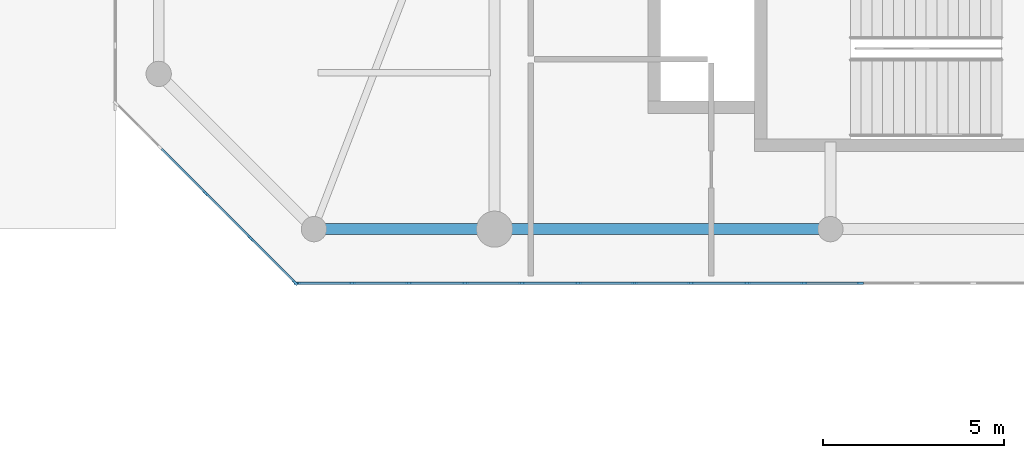
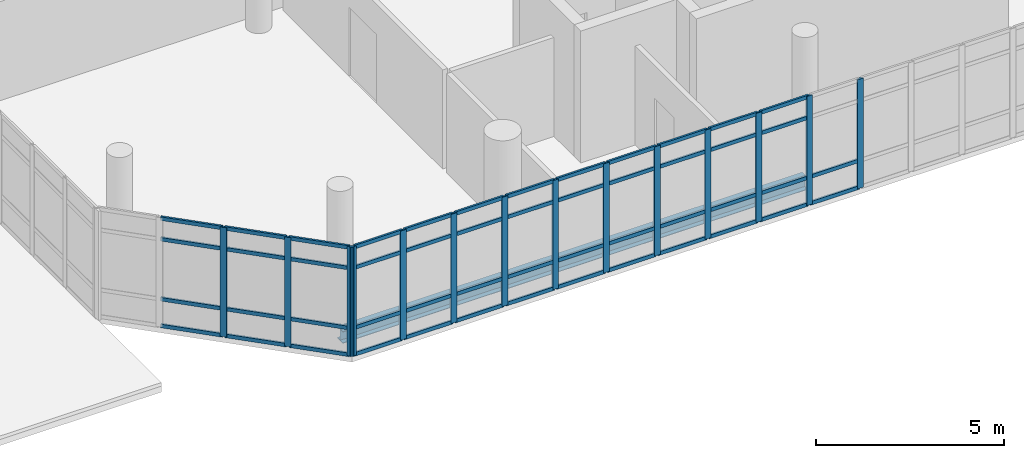
# One storey, part 25 of 134: 64 members, 2 beams, 2 elements without a shape of their own.
"""IFC4 building model written with IfcOpenShell, lengths in metres."""

from ifc_helpers import new_model, si_unit, direction, frame, origin, origin_2d, place, context, subcontext, project, spatial, rectangle, i_section, extrude, material, layer, layer_set, material_profile, profile_set, type_object, element, aggregate, save


model = new_model("IFC4")

# Units and contexts
model_context = context("Model", 3, precision=1e-05, world=origin(), true_north=direction((0.0, 1.0)))
body_context = subcontext(model_context, "Body", "Model", "MODEL_VIEW")
ifc_project = project(units=[si_unit("LENGTHUNIT", "METRE"), si_unit("AREAUNIT", "SQUARE_METRE"), si_unit("VOLUMEUNIT", "CUBIC_METRE"), si_unit("PLANEANGLEUNIT", "RADIAN"), si_unit("MASSUNIT", "GRAM", prefix="KILO")], contexts=[model_context])

# Site, building, storey
site_placement = place(None, origin())
site = spatial("IfcSite", under=ifc_project, at=site_placement, CompositionType="ELEMENT")
building_placement = place(site_placement, origin())
building = spatial("IfcBuilding", under=site, at=building_placement, Name="Sohan Crest Arena", CompositionType="ELEMENT")
storey_placement = place(building_placement, frame((0.0, 0.0, 4.5)))
storey = spatial("IfcBuildingStorey", under=building, at=storey_placement, Name="L01", CompositionType="ELEMENT", Elevation=4.5)

# Curtain wall, members
ifc_material_1 = material(Name="Thermally broken anodised aluminium", Category="aluminium")
ifc_layer = layer(ifc_material_1, 0.199951171875, Name="Thermally broken anodised aluminium")
ifc_layer_set = layer_set([ifc_layer], Name="Thermally broken anodised aluminium")
curtain_wall_type = type_object("IfcCurtainWallType", Name="ARC-CW02", PredefinedType="NOTDEFINED", material=ifc_layer_set)
curtain_wall_1_placement = place(storey_placement, origin())
curtain_wall_1 = element("IfcCurtainWall", 1, at=curtain_wall_1_placement, inside=storey, type_object=curtain_wall_type, Name="Unitised curtain wall CW-206", PredefinedType="NOTDEFINED")
ifc_material_profile_1 = material_profile(ifc_material_1, rectangle(XDim=0.06494140625, YDim=0.179931640625, at=origin_2d()), Name="ALU-MULL 65x180")
ifc_profile_set_1 = profile_set([ifc_material_profile_1], Name="Thermally broken anodised aluminium")
member_type_1 = type_object("IfcMemberType", Name="ARC-CW-ML02", PredefinedType="MULLION", material=ifc_profile_set_1)
member_1_placement = place(storey_placement, frame((19.032470703125, 50.0, 0.0), z_axis=(0.0, 0.0, 1.0), x_axis=(0.0, 1.0, 0.0)))
member_1 = element("IfcMember", 2, at=member_1_placement, type_object=member_type_1, Name="CW-206 mullion 1", PredefinedType="MULLION", context=body_context, shape_type="SweptSolid", body=[
    extrude(rectangle(XDim=0.06494140625, YDim=0.179931640625, at=origin_2d()), origin(), (0.0, 0.0, 1.0), 3.550048828125),
])
member_2_placement = place(storey_placement, frame((20.5625, 50.0, 0.0), z_axis=(0.0, 0.0, 1.0), x_axis=(0.0, 1.0, 0.0)))
member_2 = element("IfcMember", 3, at=member_2_placement, type_object=member_type_1, Name="CW-206 mullion 2", PredefinedType="MULLION", context=body_context, shape_type="SweptSolid", body=[
    extrude(rectangle(XDim=0.06494140625, YDim=0.179931640625, at=origin_2d()), origin(), (0.0, 0.0, 1.0), 3.550048828125),
])
member_3_placement = place(storey_placement, frame((22.125, 50.0, 0.0), z_axis=(0.0, 0.0, 1.0), x_axis=(0.0, 1.0, 0.0)))
member_3 = element("IfcMember", 4, at=member_3_placement, type_object=member_type_1, Name="CW-206 mullion 3", PredefinedType="MULLION", context=body_context, shape_type="SweptSolid", body=[
    extrude(rectangle(XDim=0.06494140625, YDim=0.179931640625, at=origin_2d()), origin(), (0.0, 0.0, 1.0), 3.550048828125),
])
member_4_placement = place(storey_placement, frame((23.6875, 50.0, 0.0), z_axis=(0.0, 0.0, 1.0), x_axis=(0.0, 1.0, 0.0)))
member_4 = element("IfcMember", 5, at=member_4_placement, type_object=member_type_1, Name="CW-206 mullion 4", PredefinedType="MULLION", context=body_context, shape_type="SweptSolid", body=[
    extrude(rectangle(XDim=0.06494140625, YDim=0.179931640625, at=origin_2d()), origin(), (0.0, 0.0, 1.0), 3.550048828125),
])
member_5_placement = place(storey_placement, frame((25.25, 50.0, 0.0), z_axis=(0.0, 0.0, 1.0), x_axis=(0.0, 1.0, 0.0)))
member_5 = element("IfcMember", 6, at=member_5_placement, type_object=member_type_1, Name="CW-206 mullion 5", PredefinedType="MULLION", context=body_context, shape_type="SweptSolid", body=[
    extrude(rectangle(XDim=0.06494140625, YDim=0.179931640625, at=origin_2d()), origin(), (0.0, 0.0, 1.0), 3.550048828125),
])
member_6_placement = place(storey_placement, frame((26.8125, 50.0, 0.0), z_axis=(0.0, 0.0, 1.0), x_axis=(0.0, 1.0, 0.0)))
member_6 = element("IfcMember", 7, at=member_6_placement, type_object=member_type_1, Name="CW-206 mullion 6", PredefinedType="MULLION", context=body_context, shape_type="SweptSolid", body=[
    extrude(rectangle(XDim=0.06494140625, YDim=0.179931640625, at=origin_2d()), origin(), (0.0, 0.0, 1.0), 3.550048828125),
])
member_7_placement = place(storey_placement, frame((28.375, 50.0, 0.0), z_axis=(0.0, 0.0, 1.0), x_axis=(0.0, 1.0, 0.0)))
member_7 = element("IfcMember", 8, at=member_7_placement, type_object=member_type_1, Name="CW-206 mullion 7", PredefinedType="MULLION", context=body_context, shape_type="SweptSolid", body=[
    extrude(rectangle(XDim=0.06494140625, YDim=0.179931640625, at=origin_2d()), origin(), (0.0, 0.0, 1.0), 3.550048828125),
])
member_8_placement = place(storey_placement, frame((29.9375, 50.0, 0.0), z_axis=(0.0, 0.0, 1.0), x_axis=(0.0, 1.0, 0.0)))
member_8 = element("IfcMember", 9, at=member_8_placement, type_object=member_type_1, Name="CW-206 mullion 8", PredefinedType="MULLION", context=body_context, shape_type="SweptSolid", body=[
    extrude(rectangle(XDim=0.06494140625, YDim=0.179931640625, at=origin_2d()), origin(), (0.0, 0.0, 1.0), 3.550048828125),
])
member_9_placement = place(storey_placement, frame((31.5, 50.0, 0.0), z_axis=(0.0, 0.0, 1.0), x_axis=(0.0, 1.0, 0.0)))
member_9 = element("IfcMember", 10, at=member_9_placement, type_object=member_type_1, Name="CW-206 mullion 9", PredefinedType="MULLION", context=body_context, shape_type="SweptSolid", body=[
    extrude(rectangle(XDim=0.06494140625, YDim=0.179931640625, at=origin_2d()), origin(), (0.0, 0.0, 1.0), 3.550048828125),
])
member_10_placement = place(storey_placement, frame((33.0625, 50.0, 0.0), z_axis=(0.0, 0.0, 1.0), x_axis=(0.0, 1.0, 0.0)))
member_10 = element("IfcMember", 11, at=member_10_placement, type_object=member_type_1, Name="CW-206 mullion 10", PredefinedType="MULLION", context=body_context, shape_type="SweptSolid", body=[
    extrude(rectangle(XDim=0.06494140625, YDim=0.179931640625, at=origin_2d()), origin(), (0.0, 0.0, 1.0), 3.550048828125),
])
member_11_placement = place(storey_placement, frame((34.625, 50.0, 0.0), z_axis=(0.0, 0.0, 1.0), x_axis=(0.0, 1.0, 0.0)))
member_11 = element("IfcMember", 12, at=member_11_placement, type_object=member_type_1, Name="CW-206 mullion 11", PredefinedType="MULLION", context=body_context, shape_type="SweptSolid", body=[
    extrude(rectangle(XDim=0.06494140625, YDim=0.179931640625, at=origin_2d()), origin(), (0.0, 0.0, 1.0), 3.550048828125),
])

curtain_wall_2_placement = place(storey_placement, origin())
curtain_wall_2 = element("IfcCurtainWall", 13, at=curtain_wall_2_placement, inside=storey, type_object=curtain_wall_type, Name="Unitised curtain wall CW-212", PredefinedType="NOTDEFINED")
member_12_placement = place(storey_placement, frame((16.5, 52.5, 0.0), z_axis=(0.0, 0.0, 1.0), x_axis=(0.707106781187, 0.707106781187, 0.0)))
member_12 = element("IfcMember", 14, at=member_12_placement, type_object=member_type_1, Name="CW-212 mullion 3", PredefinedType="MULLION", context=body_context, shape_type="SweptSolid", body=[
    extrude(rectangle(XDim=0.06494140625, YDim=0.179931640625, at=origin_2d()), origin(), (0.0, 0.0, 1.0), 3.550048828125),
])
member_13_placement = place(storey_placement, frame((17.75, 51.25, 0.0), z_axis=(0.0, 0.0, 1.0), x_axis=(0.707106781187, 0.707106781187, 0.0)))
member_13 = element("IfcMember", 15, at=member_13_placement, type_object=member_type_1, Name="CW-212 mullion 4", PredefinedType="MULLION", context=body_context, shape_type="SweptSolid", body=[
    extrude(rectangle(XDim=0.06494140625, YDim=0.179931640625, at=origin_2d()), origin(), (0.0, 0.0, 1.0), 3.550048828125),
])
member_14_placement = place(storey_placement, frame((18.97705078125, 50.02294921875, 0.0), z_axis=(0.0, 0.0, 1.0), x_axis=(0.707106781187, 0.707106781187, 0.0)))
member_14 = element("IfcMember", 16, at=member_14_placement, type_object=member_type_1, Name="CW-212 mullion 5", PredefinedType="MULLION", context=body_context, shape_type="SweptSolid", body=[
    extrude(rectangle(XDim=0.06494140625, YDim=0.179931640625, at=origin_2d()), origin(), (0.0, 0.0, 1.0), 3.550048828125),
])

# Member
ifc_material_profile_2 = material_profile(ifc_material_1, rectangle(XDim=0.06005859375, YDim=0.1201171875, at=origin_2d()), Name="ALU-TRAN 60x120")
ifc_profile_set_2 = profile_set([ifc_material_profile_2], Name="Thermally broken anodised aluminium")
member_type_2 = type_object("IfcMemberType", Name="ARC-CW-TR01", PredefinedType="USERDEFINED", material=ifc_profile_set_2)
member_15_placement = place(storey_placement, frame((19.06494140625, 50.0, 0.030029296875), z_axis=(1.0, 0.0, 0.0), x_axis=(0.0, 1.0, 0.0)))
member_15 = element("IfcMember", 17, at=member_15_placement, type_object=member_type_2, Name="CW-206 transom 1.1", ObjectType="TRANSOM", PredefinedType="USERDEFINED", context=body_context, shape_type="SweptSolid", body=[
    extrude(rectangle(XDim=0.06005859375, YDim=0.1201171875, at=origin_2d()), origin(), (0.0, 0.0, 1.0), 1.465087890625),
])

member_16_placement = place(storey_placement, frame((19.06494140625, 50.0, 0.89990234375), z_axis=(1.0, 0.0, 0.0), x_axis=(0.0, 1.0, 0.0)))
member_16 = element("IfcMember", 18, at=member_16_placement, type_object=member_type_2, Name="CW-206 transom 1.2", ObjectType="TRANSOM", PredefinedType="USERDEFINED", context=body_context, shape_type="SweptSolid", body=[
    extrude(rectangle(XDim=0.06005859375, YDim=0.1201171875, at=origin_2d()), origin(), (0.0, 0.0, 1.0), 1.465087890625),
])

member_17_placement = place(storey_placement, frame((19.06494140625, 50.0, 2.85009765625), z_axis=(1.0, 0.0, 0.0), x_axis=(0.0, 1.0, 0.0)))
member_17 = element("IfcMember", 19, at=member_17_placement, type_object=member_type_2, Name="CW-206 transom 1.3", ObjectType="TRANSOM", PredefinedType="USERDEFINED", context=body_context, shape_type="SweptSolid", body=[
    extrude(rectangle(XDim=0.06005859375, YDim=0.1201171875, at=origin_2d()), origin(), (0.0, 0.0, 1.0), 1.465087890625),
])

member_18_placement = place(storey_placement, frame((19.06494140625, 50.0, 3.52001953125), z_axis=(1.0, 0.0, 0.0), x_axis=(0.0, 1.0, 0.0)))
member_18 = element("IfcMember", 20, at=member_18_placement, type_object=member_type_2, Name="CW-206 transom 1.4", ObjectType="TRANSOM", PredefinedType="USERDEFINED", context=body_context, shape_type="SweptSolid", body=[
    extrude(rectangle(XDim=0.06005859375, YDim=0.1201171875, at=origin_2d()), origin(), (0.0, 0.0, 1.0), 1.465087890625),
])

member_19_placement = place(storey_placement, frame((20.594970703125, 50.0, 0.030029296875), z_axis=(1.0, 0.0, 0.0), x_axis=(0.0, 1.0, 0.0)))
member_19 = element("IfcMember", 21, at=member_19_placement, type_object=member_type_2, Name="CW-206 transom 2.1", ObjectType="TRANSOM", PredefinedType="USERDEFINED", context=body_context, shape_type="SweptSolid", body=[
    extrude(rectangle(XDim=0.06005859375, YDim=0.1201171875, at=origin_2d()), origin(), (0.0, 0.0, 1.0), 1.49755859375),
])

member_20_placement = place(storey_placement, frame((20.594970703125, 50.0, 0.89990234375), z_axis=(1.0, 0.0, 0.0), x_axis=(0.0, 1.0, 0.0)))
member_20 = element("IfcMember", 22, at=member_20_placement, type_object=member_type_2, Name="CW-206 transom 2.2", ObjectType="TRANSOM", PredefinedType="USERDEFINED", context=body_context, shape_type="SweptSolid", body=[
    extrude(rectangle(XDim=0.06005859375, YDim=0.1201171875, at=origin_2d()), origin(), (0.0, 0.0, 1.0), 1.49755859375),
])

member_21_placement = place(storey_placement, frame((20.594970703125, 50.0, 2.85009765625), z_axis=(1.0, 0.0, 0.0), x_axis=(0.0, 1.0, 0.0)))
member_21 = element("IfcMember", 23, at=member_21_placement, type_object=member_type_2, Name="CW-206 transom 2.3", ObjectType="TRANSOM", PredefinedType="USERDEFINED", context=body_context, shape_type="SweptSolid", body=[
    extrude(rectangle(XDim=0.06005859375, YDim=0.1201171875, at=origin_2d()), origin(), (0.0, 0.0, 1.0), 1.49755859375),
])

member_22_placement = place(storey_placement, frame((20.594970703125, 50.0, 3.52001953125), z_axis=(1.0, 0.0, 0.0), x_axis=(0.0, 1.0, 0.0)))
member_22 = element("IfcMember", 24, at=member_22_placement, type_object=member_type_2, Name="CW-206 transom 2.4", ObjectType="TRANSOM", PredefinedType="USERDEFINED", context=body_context, shape_type="SweptSolid", body=[
    extrude(rectangle(XDim=0.06005859375, YDim=0.1201171875, at=origin_2d()), origin(), (0.0, 0.0, 1.0), 1.49755859375),
])

member_23_placement = place(storey_placement, frame((22.157470703125, 50.0, 0.030029296875), z_axis=(1.0, 0.0, 0.0), x_axis=(0.0, 1.0, 0.0)))
member_23 = element("IfcMember", 25, at=member_23_placement, type_object=member_type_2, Name="CW-206 transom 3.1", ObjectType="TRANSOM", PredefinedType="USERDEFINED", context=body_context, shape_type="SweptSolid", body=[
    extrude(rectangle(XDim=0.06005859375, YDim=0.1201171875, at=origin_2d()), origin(), (0.0, 0.0, 1.0), 1.49755859375),
])

member_24_placement = place(storey_placement, frame((22.157470703125, 50.0, 0.89990234375), z_axis=(1.0, 0.0, 0.0), x_axis=(0.0, 1.0, 0.0)))
member_24 = element("IfcMember", 26, at=member_24_placement, type_object=member_type_2, Name="CW-206 transom 3.2", ObjectType="TRANSOM", PredefinedType="USERDEFINED", context=body_context, shape_type="SweptSolid", body=[
    extrude(rectangle(XDim=0.06005859375, YDim=0.1201171875, at=origin_2d()), origin(), (0.0, 0.0, 1.0), 1.49755859375),
])

member_25_placement = place(storey_placement, frame((22.157470703125, 50.0, 2.85009765625), z_axis=(1.0, 0.0, 0.0), x_axis=(0.0, 1.0, 0.0)))
member_25 = element("IfcMember", 27, at=member_25_placement, type_object=member_type_2, Name="CW-206 transom 3.3", ObjectType="TRANSOM", PredefinedType="USERDEFINED", context=body_context, shape_type="SweptSolid", body=[
    extrude(rectangle(XDim=0.06005859375, YDim=0.1201171875, at=origin_2d()), origin(), (0.0, 0.0, 1.0), 1.49755859375),
])

member_26_placement = place(storey_placement, frame((22.157470703125, 50.0, 3.52001953125), z_axis=(1.0, 0.0, 0.0), x_axis=(0.0, 1.0, 0.0)))
member_26 = element("IfcMember", 28, at=member_26_placement, type_object=member_type_2, Name="CW-206 transom 3.4", ObjectType="TRANSOM", PredefinedType="USERDEFINED", context=body_context, shape_type="SweptSolid", body=[
    extrude(rectangle(XDim=0.06005859375, YDim=0.1201171875, at=origin_2d()), origin(), (0.0, 0.0, 1.0), 1.49755859375),
])

member_27_placement = place(storey_placement, frame((23.719970703125, 50.0, 0.030029296875), z_axis=(1.0, 0.0, 0.0), x_axis=(0.0, 1.0, 0.0)))
member_27 = element("IfcMember", 29, at=member_27_placement, type_object=member_type_2, Name="CW-206 transom 4.1", ObjectType="TRANSOM", PredefinedType="USERDEFINED", context=body_context, shape_type="SweptSolid", body=[
    extrude(rectangle(XDim=0.06005859375, YDim=0.1201171875, at=origin_2d()), origin(), (0.0, 0.0, 1.0), 1.49755859375),
])

member_28_placement = place(storey_placement, frame((23.719970703125, 50.0, 0.89990234375), z_axis=(1.0, 0.0, 0.0), x_axis=(0.0, 1.0, 0.0)))
member_28 = element("IfcMember", 30, at=member_28_placement, type_object=member_type_2, Name="CW-206 transom 4.2", ObjectType="TRANSOM", PredefinedType="USERDEFINED", context=body_context, shape_type="SweptSolid", body=[
    extrude(rectangle(XDim=0.06005859375, YDim=0.1201171875, at=origin_2d()), origin(), (0.0, 0.0, 1.0), 1.49755859375),
])

member_29_placement = place(storey_placement, frame((23.719970703125, 50.0, 2.85009765625), z_axis=(1.0, 0.0, 0.0), x_axis=(0.0, 1.0, 0.0)))
member_29 = element("IfcMember", 31, at=member_29_placement, type_object=member_type_2, Name="CW-206 transom 4.3", ObjectType="TRANSOM", PredefinedType="USERDEFINED", context=body_context, shape_type="SweptSolid", body=[
    extrude(rectangle(XDim=0.06005859375, YDim=0.1201171875, at=origin_2d()), origin(), (0.0, 0.0, 1.0), 1.49755859375),
])

member_30_placement = place(storey_placement, frame((23.719970703125, 50.0, 3.52001953125), z_axis=(1.0, 0.0, 0.0), x_axis=(0.0, 1.0, 0.0)))
member_30 = element("IfcMember", 32, at=member_30_placement, type_object=member_type_2, Name="CW-206 transom 4.4", ObjectType="TRANSOM", PredefinedType="USERDEFINED", context=body_context, shape_type="SweptSolid", body=[
    extrude(rectangle(XDim=0.06005859375, YDim=0.1201171875, at=origin_2d()), origin(), (0.0, 0.0, 1.0), 1.49755859375),
])

member_31_placement = place(storey_placement, frame((25.282470703125, 50.0, 0.030029296875), z_axis=(1.0, 0.0, 0.0), x_axis=(0.0, 1.0, 0.0)))
member_31 = element("IfcMember", 33, at=member_31_placement, type_object=member_type_2, Name="CW-206 transom 5.1", ObjectType="TRANSOM", PredefinedType="USERDEFINED", context=body_context, shape_type="SweptSolid", body=[
    extrude(rectangle(XDim=0.06005859375, YDim=0.1201171875, at=origin_2d()), origin(), (0.0, 0.0, 1.0), 1.49755859375),
])

member_32_placement = place(storey_placement, frame((25.282470703125, 50.0, 0.89990234375), z_axis=(1.0, 0.0, 0.0), x_axis=(0.0, 1.0, 0.0)))
member_32 = element("IfcMember", 34, at=member_32_placement, type_object=member_type_2, Name="CW-206 transom 5.2", ObjectType="TRANSOM", PredefinedType="USERDEFINED", context=body_context, shape_type="SweptSolid", body=[
    extrude(rectangle(XDim=0.06005859375, YDim=0.1201171875, at=origin_2d()), origin(), (0.0, 0.0, 1.0), 1.49755859375),
])

member_33_placement = place(storey_placement, frame((25.282470703125, 50.0, 2.85009765625), z_axis=(1.0, 0.0, 0.0), x_axis=(0.0, 1.0, 0.0)))
member_33 = element("IfcMember", 35, at=member_33_placement, type_object=member_type_2, Name="CW-206 transom 5.3", ObjectType="TRANSOM", PredefinedType="USERDEFINED", context=body_context, shape_type="SweptSolid", body=[
    extrude(rectangle(XDim=0.06005859375, YDim=0.1201171875, at=origin_2d()), origin(), (0.0, 0.0, 1.0), 1.49755859375),
])

member_34_placement = place(storey_placement, frame((25.282470703125, 50.0, 3.52001953125), z_axis=(1.0, 0.0, 0.0), x_axis=(0.0, 1.0, 0.0)))
member_34 = element("IfcMember", 36, at=member_34_placement, type_object=member_type_2, Name="CW-206 transom 5.4", ObjectType="TRANSOM", PredefinedType="USERDEFINED", context=body_context, shape_type="SweptSolid", body=[
    extrude(rectangle(XDim=0.06005859375, YDim=0.1201171875, at=origin_2d()), origin(), (0.0, 0.0, 1.0), 1.49755859375),
])

member_35_placement = place(storey_placement, frame((26.844970703125, 50.0, 0.030029296875), z_axis=(1.0, 0.0, 0.0), x_axis=(0.0, 1.0, 0.0)))
member_35 = element("IfcMember", 37, at=member_35_placement, type_object=member_type_2, Name="CW-206 transom 6.1", ObjectType="TRANSOM", PredefinedType="USERDEFINED", context=body_context, shape_type="SweptSolid", body=[
    extrude(rectangle(XDim=0.06005859375, YDim=0.1201171875, at=origin_2d()), origin(), (0.0, 0.0, 1.0), 1.49755859375),
])

member_36_placement = place(storey_placement, frame((26.844970703125, 50.0, 0.89990234375), z_axis=(1.0, 0.0, 0.0), x_axis=(0.0, 1.0, 0.0)))
member_36 = element("IfcMember", 38, at=member_36_placement, type_object=member_type_2, Name="CW-206 transom 6.2", ObjectType="TRANSOM", PredefinedType="USERDEFINED", context=body_context, shape_type="SweptSolid", body=[
    extrude(rectangle(XDim=0.06005859375, YDim=0.1201171875, at=origin_2d()), origin(), (0.0, 0.0, 1.0), 1.49755859375),
])

member_37_placement = place(storey_placement, frame((26.844970703125, 50.0, 2.85009765625), z_axis=(1.0, 0.0, 0.0), x_axis=(0.0, 1.0, 0.0)))
member_37 = element("IfcMember", 39, at=member_37_placement, type_object=member_type_2, Name="CW-206 transom 6.3", ObjectType="TRANSOM", PredefinedType="USERDEFINED", context=body_context, shape_type="SweptSolid", body=[
    extrude(rectangle(XDim=0.06005859375, YDim=0.1201171875, at=origin_2d()), origin(), (0.0, 0.0, 1.0), 1.49755859375),
])

member_38_placement = place(storey_placement, frame((26.844970703125, 50.0, 3.52001953125), z_axis=(1.0, 0.0, 0.0), x_axis=(0.0, 1.0, 0.0)))
member_38 = element("IfcMember", 40, at=member_38_placement, type_object=member_type_2, Name="CW-206 transom 6.4", ObjectType="TRANSOM", PredefinedType="USERDEFINED", context=body_context, shape_type="SweptSolid", body=[
    extrude(rectangle(XDim=0.06005859375, YDim=0.1201171875, at=origin_2d()), origin(), (0.0, 0.0, 1.0), 1.49755859375),
])

member_39_placement = place(storey_placement, frame((28.407470703125, 50.0, 0.030029296875), z_axis=(1.0, 0.0, 0.0), x_axis=(0.0, 1.0, 0.0)))
member_39 = element("IfcMember", 41, at=member_39_placement, type_object=member_type_2, Name="CW-206 transom 7.1", ObjectType="TRANSOM", PredefinedType="USERDEFINED", context=body_context, shape_type="SweptSolid", body=[
    extrude(rectangle(XDim=0.06005859375, YDim=0.1201171875, at=origin_2d()), origin(), (0.0, 0.0, 1.0), 1.49755859375),
])

member_40_placement = place(storey_placement, frame((28.407470703125, 50.0, 0.89990234375), z_axis=(1.0, 0.0, 0.0), x_axis=(0.0, 1.0, 0.0)))
member_40 = element("IfcMember", 42, at=member_40_placement, type_object=member_type_2, Name="CW-206 transom 7.2", ObjectType="TRANSOM", PredefinedType="USERDEFINED", context=body_context, shape_type="SweptSolid", body=[
    extrude(rectangle(XDim=0.06005859375, YDim=0.1201171875, at=origin_2d()), origin(), (0.0, 0.0, 1.0), 1.49755859375),
])

member_41_placement = place(storey_placement, frame((28.407470703125, 50.0, 2.85009765625), z_axis=(1.0, 0.0, 0.0), x_axis=(0.0, 1.0, 0.0)))
member_41 = element("IfcMember", 43, at=member_41_placement, type_object=member_type_2, Name="CW-206 transom 7.3", ObjectType="TRANSOM", PredefinedType="USERDEFINED", context=body_context, shape_type="SweptSolid", body=[
    extrude(rectangle(XDim=0.06005859375, YDim=0.1201171875, at=origin_2d()), origin(), (0.0, 0.0, 1.0), 1.49755859375),
])

member_42_placement = place(storey_placement, frame((28.407470703125, 50.0, 3.52001953125), z_axis=(1.0, 0.0, 0.0), x_axis=(0.0, 1.0, 0.0)))
member_42 = element("IfcMember", 44, at=member_42_placement, type_object=member_type_2, Name="CW-206 transom 7.4", ObjectType="TRANSOM", PredefinedType="USERDEFINED", context=body_context, shape_type="SweptSolid", body=[
    extrude(rectangle(XDim=0.06005859375, YDim=0.1201171875, at=origin_2d()), origin(), (0.0, 0.0, 1.0), 1.49755859375),
])

member_43_placement = place(storey_placement, frame((29.969970703125, 50.0, 0.030029296875), z_axis=(1.0, 0.0, 0.0), x_axis=(0.0, 1.0, 0.0)))
member_43 = element("IfcMember", 45, at=member_43_placement, type_object=member_type_2, Name="CW-206 transom 8.1", ObjectType="TRANSOM", PredefinedType="USERDEFINED", context=body_context, shape_type="SweptSolid", body=[
    extrude(rectangle(XDim=0.06005859375, YDim=0.1201171875, at=origin_2d()), origin(), (0.0, 0.0, 1.0), 1.49755859375),
])

member_44_placement = place(storey_placement, frame((29.969970703125, 50.0, 0.89990234375), z_axis=(1.0, 0.0, 0.0), x_axis=(0.0, 1.0, 0.0)))
member_44 = element("IfcMember", 46, at=member_44_placement, type_object=member_type_2, Name="CW-206 transom 8.2", ObjectType="TRANSOM", PredefinedType="USERDEFINED", context=body_context, shape_type="SweptSolid", body=[
    extrude(rectangle(XDim=0.06005859375, YDim=0.1201171875, at=origin_2d()), origin(), (0.0, 0.0, 1.0), 1.49755859375),
])

member_45_placement = place(storey_placement, frame((29.969970703125, 50.0, 2.85009765625), z_axis=(1.0, 0.0, 0.0), x_axis=(0.0, 1.0, 0.0)))
member_45 = element("IfcMember", 47, at=member_45_placement, type_object=member_type_2, Name="CW-206 transom 8.3", ObjectType="TRANSOM", PredefinedType="USERDEFINED", context=body_context, shape_type="SweptSolid", body=[
    extrude(rectangle(XDim=0.06005859375, YDim=0.1201171875, at=origin_2d()), origin(), (0.0, 0.0, 1.0), 1.49755859375),
])

member_46_placement = place(storey_placement, frame((29.969970703125, 50.0, 3.52001953125), z_axis=(1.0, 0.0, 0.0), x_axis=(0.0, 1.0, 0.0)))
member_46 = element("IfcMember", 48, at=member_46_placement, type_object=member_type_2, Name="CW-206 transom 8.4", ObjectType="TRANSOM", PredefinedType="USERDEFINED", context=body_context, shape_type="SweptSolid", body=[
    extrude(rectangle(XDim=0.06005859375, YDim=0.1201171875, at=origin_2d()), origin(), (0.0, 0.0, 1.0), 1.49755859375),
])

member_47_placement = place(storey_placement, frame((31.532470703125, 50.0, 0.030029296875), z_axis=(1.0, 0.0, 0.0), x_axis=(0.0, 1.0, 0.0)))
member_47 = element("IfcMember", 49, at=member_47_placement, type_object=member_type_2, Name="CW-206 transom 9.1", ObjectType="TRANSOM", PredefinedType="USERDEFINED", context=body_context, shape_type="SweptSolid", body=[
    extrude(rectangle(XDim=0.06005859375, YDim=0.1201171875, at=origin_2d()), origin(), (0.0, 0.0, 1.0), 1.49755859375),
])

member_48_placement = place(storey_placement, frame((31.532470703125, 50.0, 0.89990234375), z_axis=(1.0, 0.0, 0.0), x_axis=(0.0, 1.0, 0.0)))
member_48 = element("IfcMember", 50, at=member_48_placement, type_object=member_type_2, Name="CW-206 transom 9.2", ObjectType="TRANSOM", PredefinedType="USERDEFINED", context=body_context, shape_type="SweptSolid", body=[
    extrude(rectangle(XDim=0.06005859375, YDim=0.1201171875, at=origin_2d()), origin(), (0.0, 0.0, 1.0), 1.49755859375),
])

member_49_placement = place(storey_placement, frame((31.532470703125, 50.0, 2.85009765625), z_axis=(1.0, 0.0, 0.0), x_axis=(0.0, 1.0, 0.0)))
member_49 = element("IfcMember", 51, at=member_49_placement, type_object=member_type_2, Name="CW-206 transom 9.3", ObjectType="TRANSOM", PredefinedType="USERDEFINED", context=body_context, shape_type="SweptSolid", body=[
    extrude(rectangle(XDim=0.06005859375, YDim=0.1201171875, at=origin_2d()), origin(), (0.0, 0.0, 1.0), 1.49755859375),
])

member_50_placement = place(storey_placement, frame((31.532470703125, 50.0, 3.52001953125), z_axis=(1.0, 0.0, 0.0), x_axis=(0.0, 1.0, 0.0)))
member_50 = element("IfcMember", 52, at=member_50_placement, type_object=member_type_2, Name="CW-206 transom 9.4", ObjectType="TRANSOM", PredefinedType="USERDEFINED", context=body_context, shape_type="SweptSolid", body=[
    extrude(rectangle(XDim=0.06005859375, YDim=0.1201171875, at=origin_2d()), origin(), (0.0, 0.0, 1.0), 1.49755859375),
])

member_51_placement = place(storey_placement, frame((33.094970703125, 50.0, 0.030029296875), z_axis=(1.0, 0.0, 0.0), x_axis=(0.0, 1.0, 0.0)))
member_51 = element("IfcMember", 53, at=member_51_placement, type_object=member_type_2, Name="CW-206 transom 10.1", ObjectType="TRANSOM", PredefinedType="USERDEFINED", context=body_context, shape_type="SweptSolid", body=[
    extrude(rectangle(XDim=0.06005859375, YDim=0.1201171875, at=origin_2d()), origin(), (0.0, 0.0, 1.0), 1.49755859375),
])

member_52_placement = place(storey_placement, frame((33.094970703125, 50.0, 0.89990234375), z_axis=(1.0, 0.0, 0.0), x_axis=(0.0, 1.0, 0.0)))
member_52 = element("IfcMember", 54, at=member_52_placement, type_object=member_type_2, Name="CW-206 transom 10.2", ObjectType="TRANSOM", PredefinedType="USERDEFINED", context=body_context, shape_type="SweptSolid", body=[
    extrude(rectangle(XDim=0.06005859375, YDim=0.1201171875, at=origin_2d()), origin(), (0.0, 0.0, 1.0), 1.49755859375),
])

aggregate(curtain_wall_1, [member_1, member_2, member_3, member_4, member_5, member_6, member_7, member_8, member_9, member_10, member_11, member_15, member_16, member_17, member_18, member_19, member_20, member_21, member_22, member_23, member_24, member_25, member_26, member_27, member_28, member_29, member_30, member_31, member_32, member_33, member_34, member_35, member_36, member_37, member_38, member_39, member_40, member_41, member_42, member_43, member_44, member_45, member_46, member_47, member_48, member_49, member_50, member_51, member_52])

member_53_placement = place(storey_placement, frame((15.27294921875, 53.72705078125, 0.030029296875), z_axis=(0.707106781187, -0.707106781187, 0.0), x_axis=(0.707106781187, 0.707106781187, 0.0)))
member_53 = element("IfcMember", 55, at=member_53_placement, type_object=member_type_2, Name="CW-212 transom 2.1", ObjectType="TRANSOM", PredefinedType="USERDEFINED", context=body_context, shape_type="SweptSolid", body=[
    extrude(rectangle(XDim=0.06005859375, YDim=0.1201171875, at=origin_2d()), origin(), (0.0, 0.0, 1.0), 1.702880859375),
])

member_54_placement = place(storey_placement, frame((15.27294921875, 53.72705078125, 0.89990234375), z_axis=(0.707106781187, -0.707106781187, 0.0), x_axis=(0.707106781187, 0.707106781187, 0.0)))
member_54 = element("IfcMember", 56, at=member_54_placement, type_object=member_type_2, Name="CW-212 transom 2.2", ObjectType="TRANSOM", PredefinedType="USERDEFINED", context=body_context, shape_type="SweptSolid", body=[
    extrude(rectangle(XDim=0.06005859375, YDim=0.1201171875, at=origin_2d()), origin(), (0.0, 0.0, 1.0), 1.702880859375),
])

member_55_placement = place(storey_placement, frame((15.27294921875, 53.72705078125, 2.85009765625), z_axis=(0.707106781187, -0.707106781187, 0.0), x_axis=(0.707106781187, 0.707106781187, 0.0)))
member_55 = element("IfcMember", 57, at=member_55_placement, type_object=member_type_2, Name="CW-212 transom 2.3", ObjectType="TRANSOM", PredefinedType="USERDEFINED", context=body_context, shape_type="SweptSolid", body=[
    extrude(rectangle(XDim=0.06005859375, YDim=0.1201171875, at=origin_2d()), origin(), (0.0, 0.0, 1.0), 1.702880859375),
])

member_56_placement = place(storey_placement, frame((15.27294921875, 53.72705078125, 3.52001953125), z_axis=(0.707106781187, -0.707106781187, 0.0), x_axis=(0.707106781187, 0.707106781187, 0.0)))
member_56 = element("IfcMember", 58, at=member_56_placement, type_object=member_type_2, Name="CW-212 transom 2.4", ObjectType="TRANSOM", PredefinedType="USERDEFINED", context=body_context, shape_type="SweptSolid", body=[
    extrude(rectangle(XDim=0.06005859375, YDim=0.1201171875, at=origin_2d()), origin(), (0.0, 0.0, 1.0), 1.702880859375),
])

member_57_placement = place(storey_placement, frame((16.52294921875, 52.47705078125, 0.030029296875), z_axis=(0.707106781187, -0.707106781187, 0.0), x_axis=(0.707106781187, 0.707106781187, 0.0)))
member_57 = element("IfcMember", 59, at=member_57_placement, type_object=member_type_2, Name="CW-212 transom 3.1", ObjectType="TRANSOM", PredefinedType="USERDEFINED", context=body_context, shape_type="SweptSolid", body=[
    extrude(rectangle(XDim=0.06005859375, YDim=0.1201171875, at=origin_2d()), origin(), (0.0, 0.0, 1.0), 1.702880859375),
])

member_58_placement = place(storey_placement, frame((16.52294921875, 52.47705078125, 0.89990234375), z_axis=(0.707106781187, -0.707106781187, 0.0), x_axis=(0.707106781187, 0.707106781187, 0.0)))
member_58 = element("IfcMember", 60, at=member_58_placement, type_object=member_type_2, Name="CW-212 transom 3.2", ObjectType="TRANSOM", PredefinedType="USERDEFINED", context=body_context, shape_type="SweptSolid", body=[
    extrude(rectangle(XDim=0.06005859375, YDim=0.1201171875, at=origin_2d()), origin(), (0.0, 0.0, 1.0), 1.702880859375),
])

member_59_placement = place(storey_placement, frame((16.52294921875, 52.47705078125, 2.85009765625), z_axis=(0.707106781187, -0.707106781187, 0.0), x_axis=(0.707106781187, 0.707106781187, 0.0)))
member_59 = element("IfcMember", 61, at=member_59_placement, type_object=member_type_2, Name="CW-212 transom 3.3", ObjectType="TRANSOM", PredefinedType="USERDEFINED", context=body_context, shape_type="SweptSolid", body=[
    extrude(rectangle(XDim=0.06005859375, YDim=0.1201171875, at=origin_2d()), origin(), (0.0, 0.0, 1.0), 1.702880859375),
])

member_60_placement = place(storey_placement, frame((16.52294921875, 52.47705078125, 3.52001953125), z_axis=(0.707106781187, -0.707106781187, 0.0), x_axis=(0.707106781187, 0.707106781187, 0.0)))
member_60 = element("IfcMember", 62, at=member_60_placement, type_object=member_type_2, Name="CW-212 transom 3.4", ObjectType="TRANSOM", PredefinedType="USERDEFINED", context=body_context, shape_type="SweptSolid", body=[
    extrude(rectangle(XDim=0.06005859375, YDim=0.1201171875, at=origin_2d()), origin(), (0.0, 0.0, 1.0), 1.702880859375),
])

member_61_placement = place(storey_placement, frame((17.77294921875, 51.22705078125, 0.030029296875), z_axis=(0.707106781187, -0.707106781187, 0.0), x_axis=(0.707106781187, 0.707106781187, 0.0)))
member_61 = element("IfcMember", 63, at=member_61_placement, type_object=member_type_2, Name="CW-212 transom 4.1", ObjectType="TRANSOM", PredefinedType="USERDEFINED", context=body_context, shape_type="SweptSolid", body=[
    extrude(rectangle(XDim=0.06005859375, YDim=0.1201171875, at=origin_2d()), origin(), (0.0, 0.0, 1.0), 1.67041015625),
])

member_62_placement = place(storey_placement, frame((17.77294921875, 51.22705078125, 0.89990234375), z_axis=(0.707106781187, -0.707106781187, 0.0), x_axis=(0.707106781187, 0.707106781187, 0.0)))
member_62 = element("IfcMember", 64, at=member_62_placement, type_object=member_type_2, Name="CW-212 transom 4.2", ObjectType="TRANSOM", PredefinedType="USERDEFINED", context=body_context, shape_type="SweptSolid", body=[
    extrude(rectangle(XDim=0.06005859375, YDim=0.1201171875, at=origin_2d()), origin(), (0.0, 0.0, 1.0), 1.67041015625),
])

member_63_placement = place(storey_placement, frame((17.77294921875, 51.22705078125, 2.85009765625), z_axis=(0.707106781187, -0.707106781187, 0.0), x_axis=(0.707106781187, 0.707106781187, 0.0)))
member_63 = element("IfcMember", 65, at=member_63_placement, type_object=member_type_2, Name="CW-212 transom 4.3", ObjectType="TRANSOM", PredefinedType="USERDEFINED", context=body_context, shape_type="SweptSolid", body=[
    extrude(rectangle(XDim=0.06005859375, YDim=0.1201171875, at=origin_2d()), origin(), (0.0, 0.0, 1.0), 1.67041015625),
])

member_64_placement = place(storey_placement, frame((17.77294921875, 51.22705078125, 3.52001953125), z_axis=(0.707106781187, -0.707106781187, 0.0), x_axis=(0.707106781187, 0.707106781187, 0.0)))
member_64 = element("IfcMember", 66, at=member_64_placement, type_object=member_type_2, Name="CW-212 transom 4.4", ObjectType="TRANSOM", PredefinedType="USERDEFINED", context=body_context, shape_type="SweptSolid", body=[
    extrude(rectangle(XDim=0.06005859375, YDim=0.1201171875, at=origin_2d()), origin(), (0.0, 0.0, 1.0), 1.67041015625),
])

aggregate(curtain_wall_2, [member_12, member_13, member_14, member_53, member_54, member_55, member_56, member_57, member_58, member_59, member_60, member_61, member_62, member_63, member_64])

# Beams
ifc_material_2 = material(Name="Steel S355", Category="steel")
ifc_material_profile_3 = material_profile(ifc_material_2, i_section(OverallWidth=0.300048828125, OverallDepth=0.389892578125, WebThickness=0.010986328125, FlangeThickness=0.01904296875, at=origin_2d()), Name="HEA 400")
ifc_profile_set_3 = profile_set([ifc_material_profile_3], Name="Steel S355")
beam_type = type_object("IfcBeamType", Name="STR-BM-B09", PredefinedType="BEAM", material=ifc_profile_set_3)
beam_1_placement = place(storey_placement, frame((19.5, 51.5, -0.405029296875), z_axis=(1.0, 0.0, 0.0), x_axis=(0.0, 1.0, 0.0)))
element("IfcBeam", 67, at=beam_1_placement, inside=storey, type_object=beam_type, Name="Structural beam G-L01-1997", PredefinedType="BEAM", context=body_context, shape_type="SweptSolid", body=[
    extrude(i_section(OverallWidth=0.300048828125, OverallDepth=0.389892578125, WebThickness=0.010986328125, FlangeThickness=0.01904296875, at=origin_2d()), origin(), (0.0, 0.0, 1.0), 5.0),
])
beam_2_placement = place(storey_placement, frame((24.5, 51.5, -0.405029296875), z_axis=(1.0, 0.0, 0.0), x_axis=(0.0, 1.0, 0.0)))
element("IfcBeam", 68, at=beam_2_placement, inside=storey, type_object=beam_type, Name="Structural beam G-L01-2000", PredefinedType="BEAM", context=body_context, shape_type="SweptSolid", body=[
    extrude(i_section(OverallWidth=0.300048828125, OverallDepth=0.389892578125, WebThickness=0.010986328125, FlangeThickness=0.01904296875, at=origin_2d()), origin(), (0.0, 0.0, 1.0), 9.300048828125),
])

save(model, "model.ifc")
